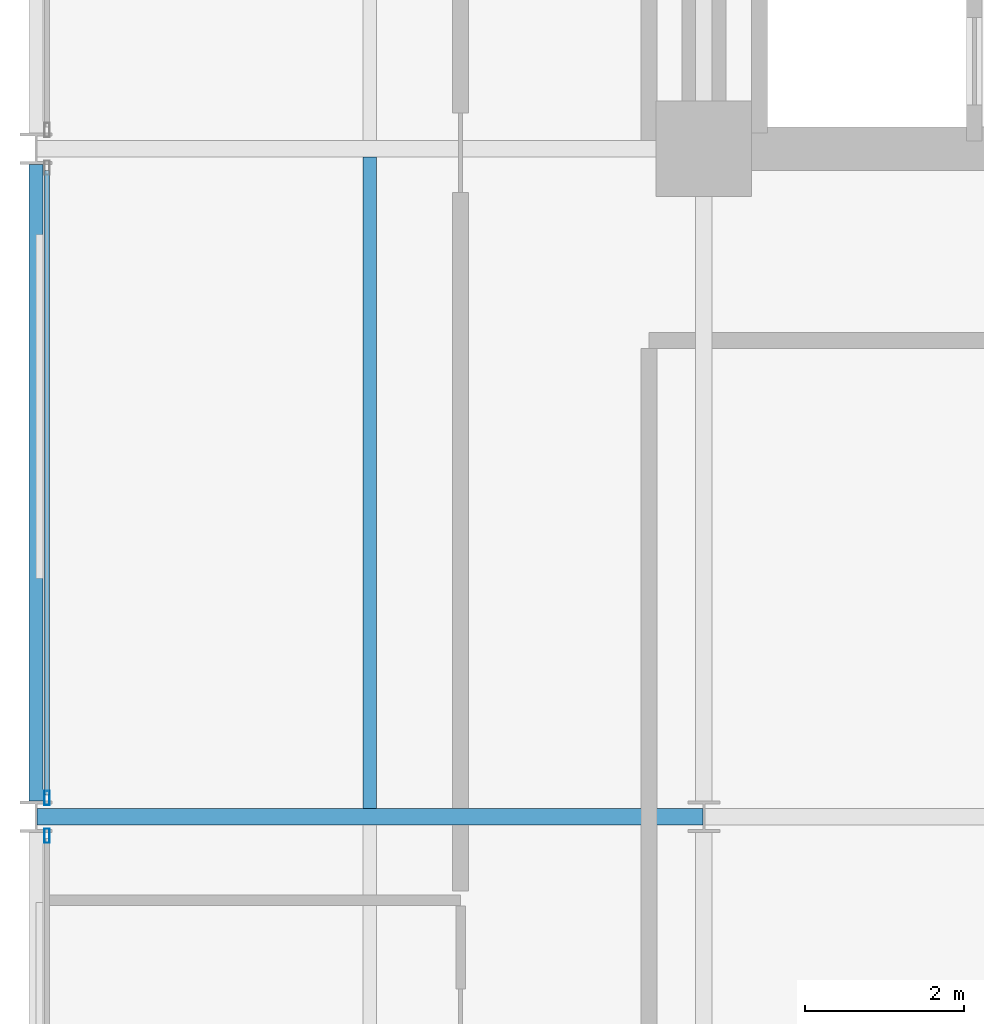
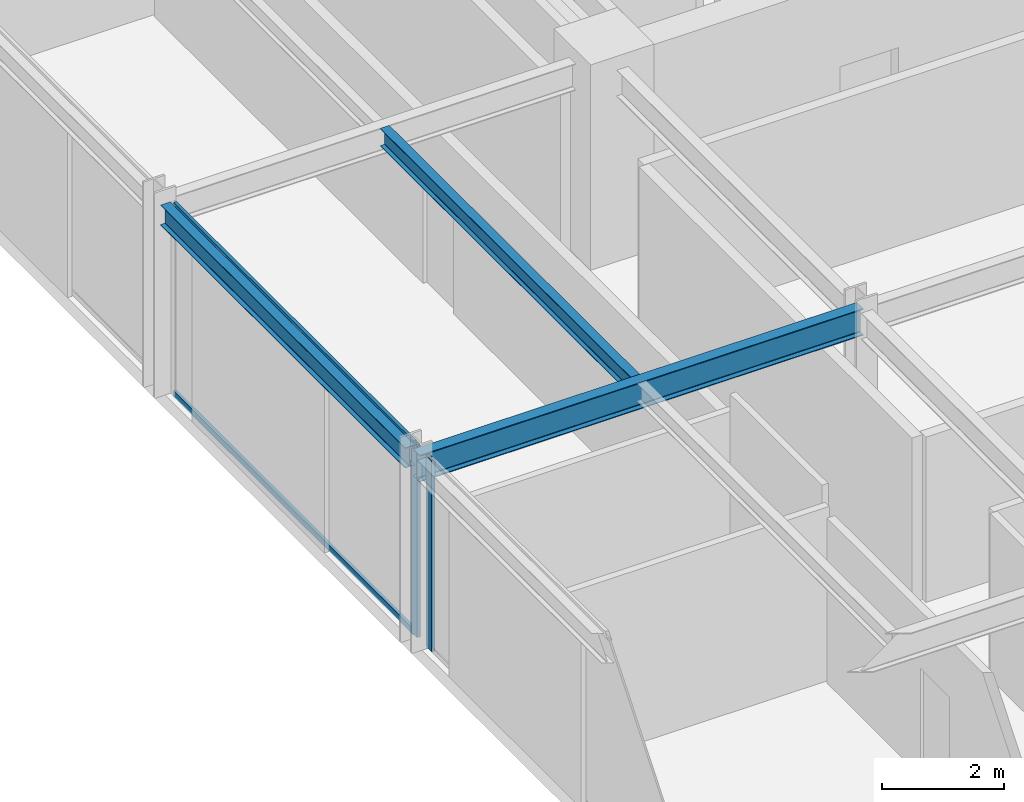
# One storey, part 11 of 38: 4 members, 3 beams, 2 elements without a shape of their own.
"""IFC4 building model written with IfcOpenShell, lengths in metres."""

from ifc_helpers import new_model, si_unit, direction, frame, origin, origin_2d, place, context, subcontext, project, spatial, hollow_rectangle, i_section, extrude, material, layer, layer_set, material_profile, profile_set, type_object, element, aggregate, save


model = new_model("IFC4")

# Units and contexts
model_context = context("Model", 3, precision=1e-05, world=origin(), true_north=direction((0.0, 1.0)))
body_context = subcontext(model_context, "Body", "Model", "MODEL_VIEW")
ifc_project = project(units=[si_unit("LENGTHUNIT", "METRE"), si_unit("AREAUNIT", "SQUARE_METRE"), si_unit("VOLUMEUNIT", "CUBIC_METRE"), si_unit("PLANEANGLEUNIT", "RADIAN"), si_unit("MASSUNIT", "GRAM", prefix="KILO")], contexts=[model_context])

# Site, building, storey
site_placement = place(None, origin())
site = spatial("IfcSite", under=ifc_project, at=site_placement, CompositionType="ELEMENT")
building_placement = place(site_placement, origin())
building = spatial("IfcBuilding", under=site, at=building_placement, Name="Nerrivon Quay Data Exchange", CompositionType="ELEMENT")
storey_placement = place(building_placement, frame((0.0, 0.0, 100.800048828125)))
storey = spatial("IfcBuildingStorey", under=building, at=storey_placement, Name="L23", CompositionType="ELEMENT", Elevation=100.800048828125)

# Beams
ifc_material_1 = material(Name="Steel Grade 350", Category="steel")
ifc_material_profile_1 = material_profile(ifc_material_1, i_section(OverallWidth=0.208984375, OverallDepth=0.532958984375, WebThickness=0.01025390625, FlangeThickness=0.015625, FilletRadius=0.013916015625, at=origin_2d()), Name="530UB92.4")
ifc_profile_set_1 = profile_set([ifc_material_profile_1], Name="Steel Grade 350")
beam_type_1 = type_object("IfcBeamType", Name="BM-G3-530UB92", PredefinedType="BEAM", material=ifc_profile_set_1)
beam_1_placement = place(storey_placement, frame((0.012451171875, 16.800048828125, 3.558349609375), z_axis=(1.0, 0.0, 0.0), x_axis=(0.0, 1.0, 0.0)))
element("IfcBeam", 1, at=beam_1_placement, inside=storey, type_object=beam_type_1, Name="L23 EW Girder Y=16.8 (0.0..8.4)", PredefinedType="BEAM", context=body_context, shape_type="SweptSolid", body=[
    extrude(i_section(OverallWidth=0.208984375, OverallDepth=0.532958984375, WebThickness=0.01025390625, FlangeThickness=0.015625, FilletRadius=0.013916015625, at=origin_2d()), origin(), (0.0, 0.0, 1.0), 8.375),
])
ifc_material_profile_2 = material_profile(ifc_material_1, i_section(OverallWidth=0.1708984375, OverallDepth=0.35595703125, WebThickness=0.00732421875, FlangeThickness=0.011474609375, FilletRadius=0.011474609375, at=origin_2d()), Name="360UB50.7")
ifc_profile_set_2 = profile_set([ifc_material_profile_2], Name="Steel Grade 350")
beam_type_2 = type_object("IfcBeamType", Name="BM-J4-360UB51", PredefinedType="JOIST", material=ifc_profile_set_2)
beam_2_placement = place(storey_placement, frame((4.199951171875, 16.904541015625, 3.64697265625), z_axis=(0.0, 1.0, 0.0), x_axis=(-1.0, 0.0, 0.0)))
element("IfcBeam", 2, at=beam_2_placement, inside=storey, type_object=beam_type_2, Name="L23 Secondary Joist X=4.2 (16.8..25.2)", PredefinedType="JOIST", context=body_context, shape_type="SweptSolid", body=[
    extrude(i_section(OverallWidth=0.1708984375, OverallDepth=0.35595703125, WebThickness=0.00732421875, FlangeThickness=0.011474609375, FilletRadius=0.011474609375, at=origin_2d()), origin(), (0.0, 0.0, 1.0), 8.19091796875),
])
ifc_material_profile_3 = material_profile(ifc_material_1, i_section(OverallWidth=0.177978515625, OverallDepth=0.403076171875, WebThickness=0.007568359375, FlangeThickness=0.010986328125, FilletRadius=0.011474609375, at=origin_2d()), Name="410UB53.7")
ifc_profile_set_3 = profile_set([ifc_material_profile_3], Name="Steel Grade 350")
beam_type_3 = type_object("IfcBeamType", Name="BM-SP2-410UB54", PredefinedType="SPANDREL", material=ifc_profile_set_3)
beam_3_placement = place(storey_placement, frame((0.0, 17.0, 3.62353515625), z_axis=(0.0, 1.0, 0.0), x_axis=(-1.0, 0.0, 0.0)))
element("IfcBeam", 3, at=beam_3_placement, inside=storey, type_object=beam_type_3, Name="L23 NS Girder X=0.0 (16.8..25.2)", PredefinedType="SPANDREL", context=body_context, shape_type="SweptSolid", body=[
    extrude(i_section(OverallWidth=0.177978515625, OverallDepth=0.403076171875, WebThickness=0.007568359375, FlangeThickness=0.010986328125, FilletRadius=0.011474609375, at=origin_2d()), origin(), (0.0, 0.0, 1.0), 8.0),
])

# Curtain wall, member
ifc_material_2 = material(Name="Anodised aluminium 6063-T6", Category="aluminium")
ifc_layer = layer(ifc_material_2, 0.2099609375)
ifc_layer_set = layer_set([ifc_layer], Name="Anodised aluminium 6063-T6")
curtain_wall_type = type_object("IfcCurtainWallType", Name="CW-SYS-02", PredefinedType="NOTDEFINED", material=ifc_layer_set)
curtain_wall_1_placement = place(storey_placement, origin())
curtain_wall_1 = element("IfcCurtainWall", 4, at=curtain_wall_1_placement, inside=storey, type_object=curtain_wall_type, Name="L23 Unitised Curtain Wall 18", PredefinedType="NOTDEFINED")
ifc_material_profile_4 = material_profile(ifc_material_2, hollow_rectangle(XDim=0.06494140625, YDim=0.179931640625, WallThickness=0.00341796875, at=origin_2d()), Name="ALU-MULL-180x65")
ifc_profile_set_4 = profile_set([ifc_material_profile_4], Name="Anodised aluminium 6063-T6")
member_type_1 = type_object("IfcMemberType", Name="CWM-180x65", PredefinedType="MULLION", material=ifc_profile_set_4)
member_1_placement = place(storey_placement, frame((0.139892578125, 16.5625, 0.0), z_axis=(0.0, 0.0, 1.0), x_axis=(-1.0, 0.0, 0.0)))
member_1 = element("IfcMember", 5, at=member_1_placement, type_object=member_type_1, Name="CW02 mullion 2", PredefinedType="MULLION", context=body_context, shape_type="SweptSolid", body=[
    extrude(hollow_rectangle(XDim=0.06494140625, YDim=0.179931640625, WallThickness=0.00341796875, at=origin_2d()), origin(), (0.0, 0.0, 1.0), 3.824951171875),
])
aggregate(curtain_wall_1, [member_1])

# Curtain wall, members
curtain_wall_2_placement = place(storey_placement, origin())
curtain_wall_2 = element("IfcCurtainWall", 6, at=curtain_wall_2_placement, inside=storey, type_object=curtain_wall_type, Name="L23 Unitised Curtain Wall 19", PredefinedType="NOTDEFINED")
member_2_placement = place(storey_placement, frame((0.139892578125, 17.03759765625, 0.0), z_axis=(0.0, 0.0, 1.0), x_axis=(-1.0, 0.0, 0.0)))
member_2 = element("IfcMember", 7, at=member_2_placement, type_object=member_type_1, Name="CW02 mullion 1", PredefinedType="MULLION", context=body_context, shape_type="SweptSolid", body=[
    extrude(hollow_rectangle(XDim=0.06494140625, YDim=0.179931640625, WallThickness=0.00341796875, at=origin_2d()), origin(), (0.0, 0.0, 1.0), 3.824951171875),
])
ifc_material_profile_5 = material_profile(ifc_material_2, hollow_rectangle(XDim=0.06005859375, YDim=0.1201171875, WallThickness=0.003173828125, at=origin_2d()), Name="ALU-TRAN-120x60")
ifc_profile_set_5 = profile_set([ifc_material_profile_5], Name="Anodised aluminium 6063-T6")
member_type_2 = type_object("IfcMemberType", Name="CWT-120x60", PredefinedType="USERDEFINED", material=ifc_profile_set_5)
member_3_placement = place(storey_placement, frame((0.139892578125, 17.074951171875, 0.032470703125), z_axis=(0.0, 1.0, 0.0), x_axis=(-1.0, 0.0, 0.0)))
member_3 = element("IfcMember", 8, at=member_3_placement, type_object=member_type_2, Name="CW02 transom 1.1", ObjectType="TRANSOM", PredefinedType="USERDEFINED", context=body_context, shape_type="SweptSolid", body=[
    extrude(hollow_rectangle(XDim=0.06005859375, YDim=0.1201171875, WallThickness=0.003173828125, at=origin_2d()), origin(), (0.0, 0.0, 1.0), 7.85009765625),
])
member_4_placement = place(storey_placement, frame((0.139892578125, 17.074951171875, 3.79248046875), z_axis=(0.0, 1.0, 0.0), x_axis=(-1.0, 0.0, 0.0)))
member_4 = element("IfcMember", 9, at=member_4_placement, type_object=member_type_2, Name="CW02 transom 1.2", ObjectType="TRANSOM", PredefinedType="USERDEFINED", context=body_context, shape_type="SweptSolid", body=[
    extrude(hollow_rectangle(XDim=0.06005859375, YDim=0.1201171875, WallThickness=0.003173828125, at=origin_2d()), origin(), (0.0, 0.0, 1.0), 7.85009765625),
])
aggregate(curtain_wall_2, [member_2, member_3, member_4])

save(model, "model.ifc")
